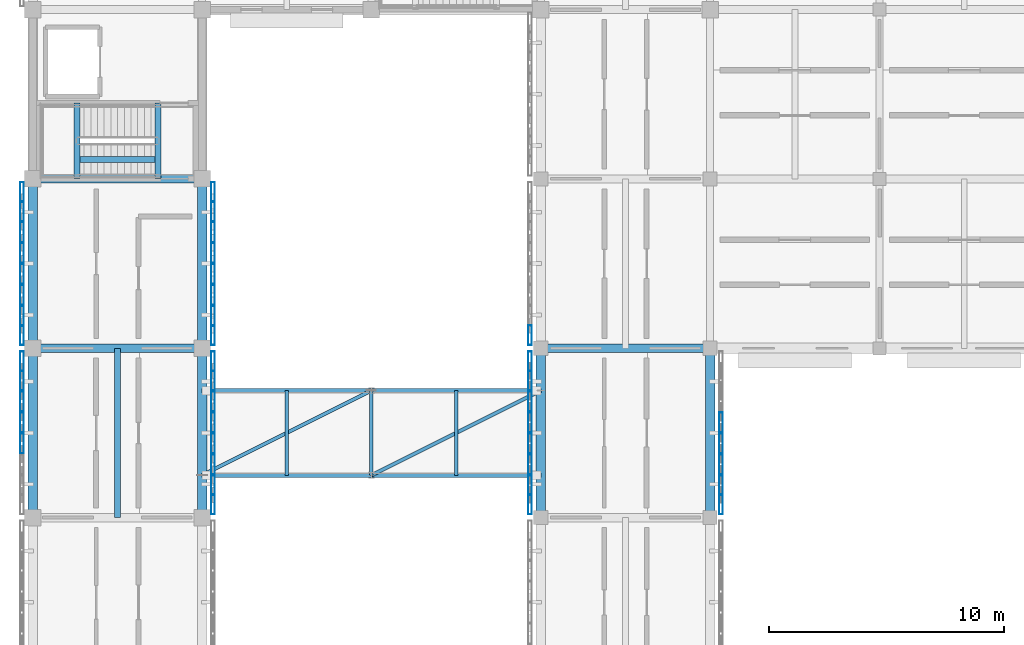
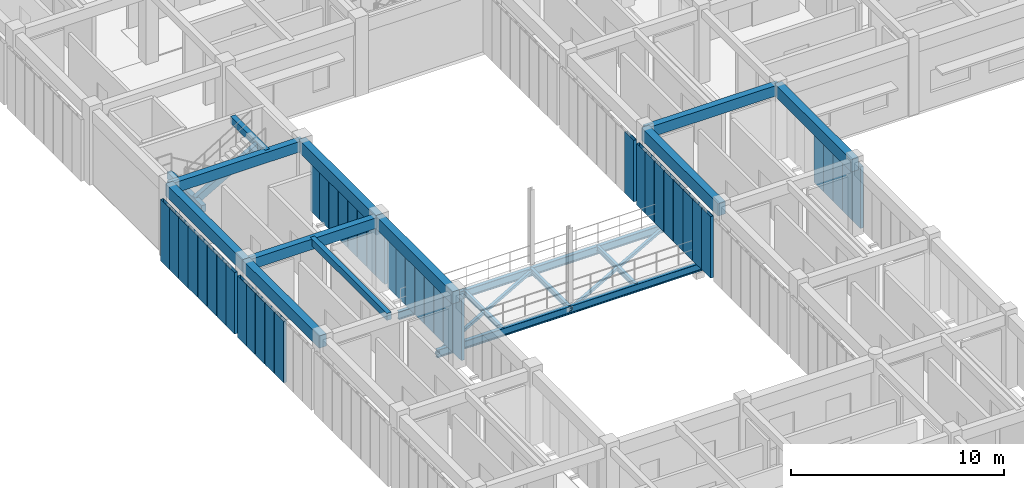
# One storey, part 12 of 171: 45 members, 20 beams, 7 elements without a shape of their own.
"""IFC4 building model written with IfcOpenShell, lengths in metres."""

from ifc_helpers import new_model, si_unit, direction, frame, origin, origin_2d, place, context, subcontext, project, spatial, rectangle, hollow_rectangle, i_section, extrude, material, material_profile, profile_set, type_object, element, aggregate, save


model = new_model("IFC4")

# Units and contexts
model_context = context("Model", 3, precision=1e-05, world=origin(), true_north=direction((0.0, 1.0)))
body_context = subcontext(model_context, "Body", "Model", "MODEL_VIEW")
ifc_project = project(units=[si_unit("LENGTHUNIT", "METRE"), si_unit("AREAUNIT", "SQUARE_METRE"), si_unit("VOLUMEUNIT", "CUBIC_METRE"), si_unit("PLANEANGLEUNIT", "RADIAN"), si_unit("MASSUNIT", "GRAM", prefix="KILO")], contexts=[model_context])

# Site, building, storey
site_placement = place(None, origin())
site = spatial("IfcSite", under=ifc_project, at=site_placement, CompositionType="ELEMENT")
building_placement = place(site_placement, origin())
building = spatial("IfcBuilding", under=site, at=building_placement, Name="Aldebral Square Health Centre", CompositionType="ELEMENT")
storey_placement = place(building_placement, frame((0.0, 0.0, 4.5)))
storey = spatial("IfcBuildingStorey", under=building, at=storey_placement, Name="L01", CompositionType="ELEMENT", Elevation=4.5)

# Beams
ifc_material_1 = material(Name="Concrete C40/50", Category="concrete")
ifc_material_profile_1 = material_profile(ifc_material_1, rectangle(XDim=0.35009765625, YDim=0.60009765625, at=origin_2d()), Name="RC 350x600")
ifc_profile_set_1 = profile_set([ifc_material_profile_1], Name="Concrete C40/50")
beam_type_1 = type_object("IfcBeamType", Name="BM-B2", PredefinedType="BEAM", material=ifc_profile_set_1)
for number, where, z_axis, x_axis, name in (
    (1, (0.0, 86.39990234375, 3.919921875), (1.0, 0.0, 0.0), (0.0, 1.0, 0.0), "L01 X-beam 1-2/G13"),
    (2, (0.0, 93.60009765625, 3.919921875), (1.0, 0.0, 0.0), (0.0, 1.0, 0.0), "L01 X-beam 1-2/G14"),
    (3, (21.60009765625, 86.39990234375, 3.919921875), (1.0, 0.0, 0.0), (0.0, 1.0, 0.0), "L01 X-beam 4-5/G13"),
):
    element("IfcBeam", number, at=place(storey_placement, frame(where, z_axis=z_axis, x_axis=x_axis)), inside=storey, type_object=beam_type_1, Name=name, PredefinedType="BEAM", context=body_context, shape_type="SweptSolid", body=[
        extrude(rectangle(XDim=0.35009765625, YDim=0.60009765625, at=origin_2d()), origin(), (0.0, 0.0, 1.0), 7.199951171875),
    ])
ifc_material_profile_2 = material_profile(ifc_material_1, rectangle(XDim=0.25, YDim=0.39990234375, at=origin_2d()), Name="RC 250x400")
ifc_profile_set_2 = profile_set([ifc_material_profile_2], Name="Concrete C40/50")
beam_type_2 = type_object("IfcBeamType", Name="BM-B6", PredefinedType="JOIST", material=ifc_profile_set_2)
beam_1_placement = place(storey_placement, frame((3.60009765625, 79.199951171875, 4.02001953125), z_axis=(0.0, 1.0, 0.0), x_axis=(-1.0, 0.0, 0.0)))
element("IfcBeam", 4, at=beam_1_placement, inside=storey, type_object=beam_type_2, Name="L01 secondary rib 1.12", PredefinedType="JOIST", context=body_context, shape_type="SweptSolid", body=[
    extrude(rectangle(XDim=0.25, YDim=0.39990234375, at=origin_2d()), origin(), (0.0, 0.0, 1.0), 7.199951171875),
])
for number, where, z_axis, x_axis, name in (
    (5, (1.8798828125, 93.610107421875, 2.050048828125), (0.0, 1.0, 0.0), (-1.0, 0.0, 0.0), "L01 WC-C1 half-landing beam"),
    (6, (5.320068359375, 93.610107421875, 4.02001953125), (0.0, 1.0, 0.0), (-1.0, 0.0, 0.0), "L01 WC-C1 upper landing beam"),
):
    element("IfcBeam", number, at=place(storey_placement, frame(where, z_axis=z_axis, x_axis=x_axis)), inside=storey, type_object=beam_type_2, Name=name, PredefinedType="JOIST", context=body_context, shape_type="SweptSolid", body=[
        extrude(rectangle(XDim=0.25, YDim=0.39990234375, at=origin_2d()), origin(), (0.0, 0.0, 1.0), 3.219970703125),
    ])
beam_2_placement = place(storey_placement, frame((1.8798828125, 94.419921875, 2.050048828125), z_axis=(0.867791792995, 0.0, 0.496927966622), x_axis=(0.0, 1.0, 0.0)))
element("IfcBeam", 7, at=beam_2_placement, inside=storey, type_object=beam_type_2, Name="L01 WC-C1 flight stringer beam", PredefinedType="JOIST", context=body_context, shape_type="SweptSolid", body=[
    extrude(rectangle(XDim=0.25, YDim=0.39990234375, at=origin_2d()), origin(), (0.0, 0.0, 1.0), 3.96435546875),
])
ifc_material_profile_3 = material_profile(ifc_material_1, rectangle(XDim=0.39990234375, YDim=0.699951171875, at=origin_2d()), Name="RC 400x700")
ifc_profile_set_3 = profile_set([ifc_material_profile_3], Name="Concrete C40/50")
beam_type_3 = type_object("IfcBeamType", Name="BM-G3", PredefinedType="T_BEAM", material=ifc_profile_set_3)
beam_3_placement = place(storey_placement, frame((0.0, 79.199951171875, 3.8701171875), z_axis=(0.0, 1.0, 0.0), x_axis=(-1.0, 0.0, 0.0)))
element("IfcBeam", 8, at=beam_3_placement, inside=storey, type_object=beam_type_3, Name="L01 Y-beam G1/12-13", PredefinedType="T_BEAM", context=body_context, shape_type="SweptSolid", body=[
    extrude(rectangle(XDim=0.39990234375, YDim=0.699951171875, at=origin_2d()), origin(), (0.0, 0.0, 1.0), 7.199951171875),
])
beam_4_placement = place(storey_placement, frame((0.0, 86.39990234375, 3.8701171875), z_axis=(0.0, 1.0, 0.0), x_axis=(-1.0, 0.0, 0.0)))
element("IfcBeam", 9, at=beam_4_placement, inside=storey, type_object=beam_type_3, Name="L01 Y-beam G1/13-14", PredefinedType="T_BEAM", context=body_context, shape_type="SweptSolid", body=[
    extrude(rectangle(XDim=0.39990234375, YDim=0.699951171875, at=origin_2d()), origin(), (0.0, 0.0, 1.0), 7.2001953125),
])
beam_5_placement = place(storey_placement, frame((7.199951171875, 79.199951171875, 3.8701171875), z_axis=(0.0, 1.0, 0.0), x_axis=(-1.0, 0.0, 0.0)))
element("IfcBeam", 10, at=beam_5_placement, inside=storey, type_object=beam_type_3, Name="L01 Y-beam G2/12-13", PredefinedType="T_BEAM", context=body_context, shape_type="SweptSolid", body=[
    extrude(rectangle(XDim=0.39990234375, YDim=0.699951171875, at=origin_2d()), origin(), (0.0, 0.0, 1.0), 7.199951171875),
])
beam_6_placement = place(storey_placement, frame((7.199951171875, 86.39990234375, 3.8701171875), z_axis=(0.0, 1.0, 0.0), x_axis=(-1.0, 0.0, 0.0)))
element("IfcBeam", 11, at=beam_6_placement, inside=storey, type_object=beam_type_3, Name="L01 Y-beam G2/13-14", PredefinedType="T_BEAM", context=body_context, shape_type="SweptSolid", body=[
    extrude(rectangle(XDim=0.39990234375, YDim=0.699951171875, at=origin_2d()), origin(), (0.0, 0.0, 1.0), 7.2001953125),
])
for number, where, z_axis, x_axis, name in (
    (12, (21.60009765625, 79.199951171875, 3.8701171875), (0.0, 1.0, 0.0), (-1.0, 0.0, 0.0), "L01 Y-beam G4/12-13"),
    (13, (28.800048828125, 79.199951171875, 3.8701171875), (0.0, 1.0, 0.0), (-1.0, 0.0, 0.0), "L01 Y-beam G5/12-13"),
):
    element("IfcBeam", number, at=place(storey_placement, frame(where, z_axis=z_axis, x_axis=x_axis)), inside=storey, type_object=beam_type_3, Name=name, PredefinedType="T_BEAM", context=body_context, shape_type="SweptSolid", body=[
        extrude(rectangle(XDim=0.39990234375, YDim=0.699951171875, at=origin_2d()), origin(), (0.0, 0.0, 1.0), 7.199951171875),
    ])
ifc_material_2 = material(Name="Steel S355JR", Category="steel")
ifc_material_profile_4 = material_profile(ifc_material_2, i_section(OverallWidth=0.18994140625, OverallDepth=0.449951171875, WebThickness=0.009521484375, FlangeThickness=0.0146484375, FilletRadius=0.02099609375, at=origin_2d()), Name="IPE 450")
ifc_profile_set_4 = profile_set([ifc_material_profile_4], Name="Steel S355JR")
beam_type_4 = type_object("IfcBeamType", Name="BM-ST1", PredefinedType="T_BEAM", material=ifc_profile_set_4)
beam_7_placement = place(storey_placement, frame((7.199951171875, 81.0, -0.445068359375), z_axis=(1.0, 0.0, 0.0), x_axis=(0.0, 1.0, 0.0)))
element("IfcBeam", 14, at=beam_7_placement, inside=storey, type_object=beam_type_4, Name="West Light Court Bridge L01 edge girder 1.1", PredefinedType="T_BEAM", context=body_context, shape_type="SweptSolid", body=[
    extrude(i_section(OverallWidth=0.18994140625, OverallDepth=0.449951171875, WebThickness=0.009521484375, FlangeThickness=0.0146484375, FilletRadius=0.02099609375, at=origin_2d()), origin(), (0.0, 0.0, 1.0), 7.199951171875),
])
beam_8_placement = place(storey_placement, frame((14.39990234375, 81.0, -0.445068359375), z_axis=(1.0, 0.0, 0.0), x_axis=(0.0, 1.0, 0.0)))
element("IfcBeam", 15, at=beam_8_placement, inside=storey, type_object=beam_type_4, Name="West Light Court Bridge L01 edge girder 1.2", PredefinedType="T_BEAM", context=body_context, shape_type="SweptSolid", body=[
    extrude(i_section(OverallWidth=0.18994140625, OverallDepth=0.449951171875, WebThickness=0.009521484375, FlangeThickness=0.0146484375, FilletRadius=0.02099609375, at=origin_2d()), origin(), (0.0, 0.0, 1.0), 7.2001953125),
])
beam_9_placement = place(storey_placement, frame((7.199951171875, 84.60009765625, -0.445068359375), z_axis=(1.0, 0.0, 0.0), x_axis=(0.0, 1.0, 0.0)))
element("IfcBeam", 16, at=beam_9_placement, inside=storey, type_object=beam_type_4, Name="West Light Court Bridge L01 edge girder 2.1", PredefinedType="T_BEAM", context=body_context, shape_type="SweptSolid", body=[
    extrude(i_section(OverallWidth=0.18994140625, OverallDepth=0.449951171875, WebThickness=0.009521484375, FlangeThickness=0.0146484375, FilletRadius=0.02099609375, at=origin_2d()), origin(), (0.0, 0.0, 1.0), 7.199951171875),
])
beam_10_placement = place(storey_placement, frame((14.39990234375, 84.60009765625, -0.445068359375), z_axis=(1.0, 0.0, 0.0), x_axis=(0.0, 1.0, 0.0)))
element("IfcBeam", 17, at=beam_10_placement, inside=storey, type_object=beam_type_4, Name="West Light Court Bridge L01 edge girder 2.2", PredefinedType="T_BEAM", context=body_context, shape_type="SweptSolid", body=[
    extrude(i_section(OverallWidth=0.18994140625, OverallDepth=0.449951171875, WebThickness=0.009521484375, FlangeThickness=0.0146484375, FilletRadius=0.02099609375, at=origin_2d()), origin(), (0.0, 0.0, 1.0), 7.2001953125),
])
ifc_material_profile_5 = material_profile(ifc_material_2, i_section(OverallWidth=0.14990234375, OverallDepth=0.300048828125, WebThickness=0.007080078125, FlangeThickness=0.0107421875, FilletRadius=0.014892578125, at=origin_2d()), Name="IPE 300")
ifc_profile_set_5 = profile_set([ifc_material_profile_5], Name="Steel S355JR")
beam_type_5 = type_object("IfcBeamType", Name="BM-ST4", PredefinedType="BEAM", material=ifc_profile_set_5)
for number, where, z_axis, x_axis, name in (
    (18, (10.800048828125, 81.0, -0.3701171875), (0.0, 1.0, 0.0), (-1.0, 0.0, 0.0), "West Light Court Bridge L01 cross beam 2"),
    (19, (14.39990234375, 81.0, -0.3701171875), (0.0, 1.0, 0.0), (-1.0, 0.0, 0.0), "West Light Court Bridge L01 cross beam 3"),
    (20, (18.0, 81.0, -0.3701171875), (0.0, 1.0, 0.0), (-1.0, 0.0, 0.0), "West Light Court Bridge L01 cross beam 4"),
):
    element("IfcBeam", number, at=place(storey_placement, frame(where, z_axis=z_axis, x_axis=x_axis)), inside=storey, type_object=beam_type_5, Name=name, PredefinedType="BEAM", context=body_context, shape_type="SweptSolid", body=[
        extrude(i_section(OverallWidth=0.14990234375, OverallDepth=0.300048828125, WebThickness=0.007080078125, FlangeThickness=0.0107421875, FilletRadius=0.014892578125, at=origin_2d()), origin(), (0.0, 0.0, 1.0), 3.60009765625),
    ])

# Curtain wall, members
ifc_material_3 = material(Name="Aluminium and low-E solar glass", Category="aluminium")
curtain_wall_type = type_object("IfcCurtainWallType", Name="CW-FIN-SYS", PredefinedType="USERDEFINED", material=ifc_material_3)
curtain_wall_1_placement = place(storey_placement, origin())
curtain_wall_1 = element("IfcCurtainWall", 21, at=curtain_wall_1_placement, inside=storey, type_object=curtain_wall_type, Name="L01 V4 finned curtain wall L01-V4-00-11-W", ObjectType="SOLAR_CURTAIN_WALL", PredefinedType="USERDEFINED")
ifc_material_4 = material(Name="Sienna-terracotta clad aluminium fin", Category="masonry")
ifc_material_profile_6 = material_profile(ifc_material_4, hollow_rectangle(XDim=0.159912109375, YDim=0.85009765625, WallThickness=0.006103515625, at=origin_2d()), Name="FIN 160x850x6")
ifc_profile_set_6 = profile_set([ifc_material_profile_6], Name="Sienna-terracotta clad aluminium fin")
member_type_1 = type_object("IfcMemberType", Name="CWM-FIN", PredefinedType="MULLION", material=ifc_profile_set_6)
member_1_placement = place(storey_placement, frame((-0.4599609375, 85.840087890625, 0.0), z_axis=(0.0, 0.0, 1.0), x_axis=(1.0, 0.0, 0.0)))
member_1 = element("IfcMember", 22, at=member_1_placement, type_object=member_type_1, Name="CW1 mullion 1", PredefinedType="MULLION", context=body_context, shape_type="SweptSolid", body=[
    extrude(hollow_rectangle(XDim=0.159912109375, YDim=0.85009765625, WallThickness=0.006103515625, at=origin_2d()), origin(), (0.0, 0.0, 1.0), 3.52001953125),
])
member_2_placement = place(storey_placement, frame((-0.4599609375, 85.028564453125, 0.0), z_axis=(0.0, 0.0, 1.0), x_axis=(1.0, 0.0, 0.0)))
member_2 = element("IfcMember", 23, at=member_2_placement, type_object=member_type_1, Name="CW1 mullion 2", PredefinedType="MULLION", context=body_context, shape_type="SweptSolid", body=[
    extrude(hollow_rectangle(XDim=0.159912109375, YDim=0.85009765625, WallThickness=0.006103515625, at=origin_2d()), origin(), (0.0, 0.0, 1.0), 3.52001953125),
])
member_3_placement = place(storey_placement, frame((-0.4599609375, 84.13720703125, 0.0), z_axis=(0.0, 0.0, 1.0), x_axis=(1.0, 0.0, 0.0)))
member_3 = element("IfcMember", 24, at=member_3_placement, type_object=member_type_1, Name="CW1 mullion 3", PredefinedType="MULLION", context=body_context, shape_type="SweptSolid", body=[
    extrude(hollow_rectangle(XDim=0.159912109375, YDim=0.85009765625, WallThickness=0.006103515625, at=origin_2d()), origin(), (0.0, 0.0, 1.0), 3.52001953125),
])
member_4_placement = place(storey_placement, frame((-0.4599609375, 83.24560546875, 0.0), z_axis=(0.0, 0.0, 1.0), x_axis=(1.0, 0.0, 0.0)))
member_4 = element("IfcMember", 25, at=member_4_placement, type_object=member_type_1, Name="CW1 mullion 4", PredefinedType="MULLION", context=body_context, shape_type="SweptSolid", body=[
    extrude(hollow_rectangle(XDim=0.159912109375, YDim=0.85009765625, WallThickness=0.006103515625, at=origin_2d()), origin(), (0.0, 0.0, 1.0), 3.52001953125),
])
member_5_placement = place(storey_placement, frame((-0.4599609375, 82.354248046875, 0.0), z_axis=(0.0, 0.0, 1.0), x_axis=(1.0, 0.0, 0.0)))
member_5 = element("IfcMember", 26, at=member_5_placement, type_object=member_type_1, Name="CW1 mullion 5", PredefinedType="MULLION", context=body_context, shape_type="SweptSolid", body=[
    extrude(hollow_rectangle(XDim=0.159912109375, YDim=0.85009765625, WallThickness=0.006103515625, at=origin_2d()), origin(), (0.0, 0.0, 1.0), 3.52001953125),
])
aggregate(curtain_wall_1, [member_1, member_2, member_3, member_4, member_5])

curtain_wall_2_placement = place(storey_placement, origin())
curtain_wall_2 = element("IfcCurtainWall", 27, at=curtain_wall_2_placement, inside=storey, type_object=curtain_wall_type, Name="L01 V4 finned curtain wall L01-V4-00-11-E", ObjectType="SOLAR_CURTAIN_WALL", PredefinedType="USERDEFINED")
member_6_placement = place(storey_placement, frame((7.659912109375, 79.760009765625, 0.0), z_axis=(0.0, 0.0, 1.0), x_axis=(-1.0, 0.0, 0.0)))
member_6 = element("IfcMember", 28, at=member_6_placement, type_object=member_type_1, Name="CW1 mullion 1", PredefinedType="MULLION", context=body_context, shape_type="SweptSolid", body=[
    extrude(hollow_rectangle(XDim=0.159912109375, YDim=0.85009765625, WallThickness=0.006103515625, at=origin_2d()), origin(), (0.0, 0.0, 1.0), 3.52001953125),
])
member_7_placement = place(storey_placement, frame((7.659912109375, 80.571533203125, 0.0), z_axis=(0.0, 0.0, 1.0), x_axis=(-1.0, 0.0, 0.0)))
member_7 = element("IfcMember", 29, at=member_7_placement, type_object=member_type_1, Name="CW1 mullion 2", PredefinedType="MULLION", context=body_context, shape_type="SweptSolid", body=[
    extrude(hollow_rectangle(XDim=0.159912109375, YDim=0.85009765625, WallThickness=0.006103515625, at=origin_2d()), origin(), (0.0, 0.0, 1.0), 3.52001953125),
])
member_8_placement = place(storey_placement, frame((7.659912109375, 81.462890625, 0.0), z_axis=(0.0, 0.0, 1.0), x_axis=(-1.0, 0.0, 0.0)))
member_8 = element("IfcMember", 30, at=member_8_placement, type_object=member_type_1, Name="CW1 mullion 3", PredefinedType="MULLION", context=body_context, shape_type="SweptSolid", body=[
    extrude(hollow_rectangle(XDim=0.159912109375, YDim=0.85009765625, WallThickness=0.006103515625, at=origin_2d()), origin(), (0.0, 0.0, 1.0), 3.52001953125),
])
member_9_placement = place(storey_placement, frame((7.659912109375, 82.354248046875, 0.0), z_axis=(0.0, 0.0, 1.0), x_axis=(-1.0, 0.0, 0.0)))
member_9 = element("IfcMember", 31, at=member_9_placement, type_object=member_type_1, Name="CW1 mullion 4", PredefinedType="MULLION", context=body_context, shape_type="SweptSolid", body=[
    extrude(hollow_rectangle(XDim=0.159912109375, YDim=0.85009765625, WallThickness=0.006103515625, at=origin_2d()), origin(), (0.0, 0.0, 1.0), 3.52001953125),
])
member_10_placement = place(storey_placement, frame((7.659912109375, 83.24560546875, 0.0), z_axis=(0.0, 0.0, 1.0), x_axis=(-1.0, 0.0, 0.0)))
member_10 = element("IfcMember", 32, at=member_10_placement, type_object=member_type_1, Name="CW1 mullion 5", PredefinedType="MULLION", context=body_context, shape_type="SweptSolid", body=[
    extrude(hollow_rectangle(XDim=0.159912109375, YDim=0.85009765625, WallThickness=0.006103515625, at=origin_2d()), origin(), (0.0, 0.0, 1.0), 3.52001953125),
])
member_11_placement = place(storey_placement, frame((7.659912109375, 84.13720703125, 0.0), z_axis=(0.0, 0.0, 1.0), x_axis=(-1.0, 0.0, 0.0)))
member_11 = element("IfcMember", 33, at=member_11_placement, type_object=member_type_1, Name="CW1 mullion 6", PredefinedType="MULLION", context=body_context, shape_type="SweptSolid", body=[
    extrude(hollow_rectangle(XDim=0.159912109375, YDim=0.85009765625, WallThickness=0.006103515625, at=origin_2d()), origin(), (0.0, 0.0, 1.0), 3.52001953125),
])
member_12_placement = place(storey_placement, frame((7.659912109375, 85.028564453125, 0.0), z_axis=(0.0, 0.0, 1.0), x_axis=(-1.0, 0.0, 0.0)))
member_12 = element("IfcMember", 34, at=member_12_placement, type_object=member_type_1, Name="CW1 mullion 7", PredefinedType="MULLION", context=body_context, shape_type="SweptSolid", body=[
    extrude(hollow_rectangle(XDim=0.159912109375, YDim=0.85009765625, WallThickness=0.006103515625, at=origin_2d()), origin(), (0.0, 0.0, 1.0), 3.52001953125),
])
member_13_placement = place(storey_placement, frame((7.659912109375, 85.840087890625, 0.0), z_axis=(0.0, 0.0, 1.0), x_axis=(-1.0, 0.0, 0.0)))
member_13 = element("IfcMember", 35, at=member_13_placement, type_object=member_type_1, Name="CW1 mullion 8", PredefinedType="MULLION", context=body_context, shape_type="SweptSolid", body=[
    extrude(hollow_rectangle(XDim=0.159912109375, YDim=0.85009765625, WallThickness=0.006103515625, at=origin_2d()), origin(), (0.0, 0.0, 1.0), 3.52001953125),
])
aggregate(curtain_wall_2, [member_6, member_7, member_8, member_9, member_10, member_11, member_12, member_13])

curtain_wall_3_placement = place(storey_placement, origin())
curtain_wall_3 = element("IfcCurtainWall", 36, at=curtain_wall_3_placement, inside=storey, type_object=curtain_wall_type, Name="L01 V4 finned curtain wall L01-V4-00-12-W", ObjectType="SOLAR_CURTAIN_WALL", PredefinedType="USERDEFINED")
member_14_placement = place(storey_placement, frame((-0.4599609375, 93.0400390625, 0.0), z_axis=(0.0, 0.0, 1.0), x_axis=(1.0, 0.0, 0.0)))
member_14 = element("IfcMember", 37, at=member_14_placement, type_object=member_type_1, Name="CW1 mullion 1", PredefinedType="MULLION", context=body_context, shape_type="SweptSolid", body=[
    extrude(hollow_rectangle(XDim=0.159912109375, YDim=0.85009765625, WallThickness=0.006103515625, at=origin_2d()), origin(), (0.0, 0.0, 1.0), 3.52001953125),
])
member_15_placement = place(storey_placement, frame((-0.4599609375, 92.228515625, 0.0), z_axis=(0.0, 0.0, 1.0), x_axis=(1.0, 0.0, 0.0)))
member_15 = element("IfcMember", 38, at=member_15_placement, type_object=member_type_1, Name="CW1 mullion 2", PredefinedType="MULLION", context=body_context, shape_type="SweptSolid", body=[
    extrude(hollow_rectangle(XDim=0.159912109375, YDim=0.85009765625, WallThickness=0.006103515625, at=origin_2d()), origin(), (0.0, 0.0, 1.0), 3.52001953125),
])
member_16_placement = place(storey_placement, frame((-0.4599609375, 91.337158203125, 0.0), z_axis=(0.0, 0.0, 1.0), x_axis=(1.0, 0.0, 0.0)))
member_16 = element("IfcMember", 39, at=member_16_placement, type_object=member_type_1, Name="CW1 mullion 3", PredefinedType="MULLION", context=body_context, shape_type="SweptSolid", body=[
    extrude(hollow_rectangle(XDim=0.159912109375, YDim=0.85009765625, WallThickness=0.006103515625, at=origin_2d()), origin(), (0.0, 0.0, 1.0), 3.52001953125),
])
member_17_placement = place(storey_placement, frame((-0.4599609375, 90.44580078125, 0.0), z_axis=(0.0, 0.0, 1.0), x_axis=(1.0, 0.0, 0.0)))
member_17 = element("IfcMember", 40, at=member_17_placement, type_object=member_type_1, Name="CW1 mullion 4", PredefinedType="MULLION", context=body_context, shape_type="SweptSolid", body=[
    extrude(hollow_rectangle(XDim=0.159912109375, YDim=0.85009765625, WallThickness=0.006103515625, at=origin_2d()), origin(), (0.0, 0.0, 1.0), 3.52001953125),
])
member_18_placement = place(storey_placement, frame((-0.4599609375, 89.55419921875, 0.0), z_axis=(0.0, 0.0, 1.0), x_axis=(1.0, 0.0, 0.0)))
member_18 = element("IfcMember", 41, at=member_18_placement, type_object=member_type_1, Name="CW1 mullion 5", PredefinedType="MULLION", context=body_context, shape_type="SweptSolid", body=[
    extrude(hollow_rectangle(XDim=0.159912109375, YDim=0.85009765625, WallThickness=0.006103515625, at=origin_2d()), origin(), (0.0, 0.0, 1.0), 3.52001953125),
])
member_19_placement = place(storey_placement, frame((-0.4599609375, 88.662841796875, 0.0), z_axis=(0.0, 0.0, 1.0), x_axis=(1.0, 0.0, 0.0)))
member_19 = element("IfcMember", 42, at=member_19_placement, type_object=member_type_1, Name="CW1 mullion 6", PredefinedType="MULLION", context=body_context, shape_type="SweptSolid", body=[
    extrude(hollow_rectangle(XDim=0.159912109375, YDim=0.85009765625, WallThickness=0.006103515625, at=origin_2d()), origin(), (0.0, 0.0, 1.0), 3.52001953125),
])
member_20_placement = place(storey_placement, frame((-0.4599609375, 87.771484375, 0.0), z_axis=(0.0, 0.0, 1.0), x_axis=(1.0, 0.0, 0.0)))
member_20 = element("IfcMember", 43, at=member_20_placement, type_object=member_type_1, Name="CW1 mullion 7", PredefinedType="MULLION", context=body_context, shape_type="SweptSolid", body=[
    extrude(hollow_rectangle(XDim=0.159912109375, YDim=0.85009765625, WallThickness=0.006103515625, at=origin_2d()), origin(), (0.0, 0.0, 1.0), 3.52001953125),
])
member_21_placement = place(storey_placement, frame((-0.4599609375, 86.9599609375, 0.0), z_axis=(0.0, 0.0, 1.0), x_axis=(1.0, 0.0, 0.0)))
member_21 = element("IfcMember", 44, at=member_21_placement, type_object=member_type_1, Name="CW1 mullion 8", PredefinedType="MULLION", context=body_context, shape_type="SweptSolid", body=[
    extrude(hollow_rectangle(XDim=0.159912109375, YDim=0.85009765625, WallThickness=0.006103515625, at=origin_2d()), origin(), (0.0, 0.0, 1.0), 3.52001953125),
])
aggregate(curtain_wall_3, [member_14, member_15, member_16, member_17, member_18, member_19, member_20, member_21])

curtain_wall_4_placement = place(storey_placement, origin())
curtain_wall_4 = element("IfcCurtainWall", 45, at=curtain_wall_4_placement, inside=storey, type_object=curtain_wall_type, Name="L01 V4 finned curtain wall L01-V4-00-12-E", ObjectType="SOLAR_CURTAIN_WALL", PredefinedType="USERDEFINED")
member_22_placement = place(storey_placement, frame((7.659912109375, 86.9599609375, 0.0), z_axis=(0.0, 0.0, 1.0), x_axis=(-1.0, 0.0, 0.0)))
member_22 = element("IfcMember", 46, at=member_22_placement, type_object=member_type_1, Name="CW1 mullion 1", PredefinedType="MULLION", context=body_context, shape_type="SweptSolid", body=[
    extrude(hollow_rectangle(XDim=0.159912109375, YDim=0.85009765625, WallThickness=0.006103515625, at=origin_2d()), origin(), (0.0, 0.0, 1.0), 3.52001953125),
])
member_23_placement = place(storey_placement, frame((7.659912109375, 87.771484375, 0.0), z_axis=(0.0, 0.0, 1.0), x_axis=(-1.0, 0.0, 0.0)))
member_23 = element("IfcMember", 47, at=member_23_placement, type_object=member_type_1, Name="CW1 mullion 2", PredefinedType="MULLION", context=body_context, shape_type="SweptSolid", body=[
    extrude(hollow_rectangle(XDim=0.159912109375, YDim=0.85009765625, WallThickness=0.006103515625, at=origin_2d()), origin(), (0.0, 0.0, 1.0), 3.52001953125),
])
member_24_placement = place(storey_placement, frame((7.659912109375, 88.662841796875, 0.0), z_axis=(0.0, 0.0, 1.0), x_axis=(-1.0, 0.0, 0.0)))
member_24 = element("IfcMember", 48, at=member_24_placement, type_object=member_type_1, Name="CW1 mullion 3", PredefinedType="MULLION", context=body_context, shape_type="SweptSolid", body=[
    extrude(hollow_rectangle(XDim=0.159912109375, YDim=0.85009765625, WallThickness=0.006103515625, at=origin_2d()), origin(), (0.0, 0.0, 1.0), 3.52001953125),
])
member_25_placement = place(storey_placement, frame((7.659912109375, 89.55419921875, 0.0), z_axis=(0.0, 0.0, 1.0), x_axis=(-1.0, 0.0, 0.0)))
member_25 = element("IfcMember", 49, at=member_25_placement, type_object=member_type_1, Name="CW1 mullion 4", PredefinedType="MULLION", context=body_context, shape_type="SweptSolid", body=[
    extrude(hollow_rectangle(XDim=0.159912109375, YDim=0.85009765625, WallThickness=0.006103515625, at=origin_2d()), origin(), (0.0, 0.0, 1.0), 3.52001953125),
])
member_26_placement = place(storey_placement, frame((7.659912109375, 90.44580078125, 0.0), z_axis=(0.0, 0.0, 1.0), x_axis=(-1.0, 0.0, 0.0)))
member_26 = element("IfcMember", 50, at=member_26_placement, type_object=member_type_1, Name="CW1 mullion 5", PredefinedType="MULLION", context=body_context, shape_type="SweptSolid", body=[
    extrude(hollow_rectangle(XDim=0.159912109375, YDim=0.85009765625, WallThickness=0.006103515625, at=origin_2d()), origin(), (0.0, 0.0, 1.0), 3.52001953125),
])
member_27_placement = place(storey_placement, frame((7.659912109375, 91.337158203125, 0.0), z_axis=(0.0, 0.0, 1.0), x_axis=(-1.0, 0.0, 0.0)))
member_27 = element("IfcMember", 51, at=member_27_placement, type_object=member_type_1, Name="CW1 mullion 6", PredefinedType="MULLION", context=body_context, shape_type="SweptSolid", body=[
    extrude(hollow_rectangle(XDim=0.159912109375, YDim=0.85009765625, WallThickness=0.006103515625, at=origin_2d()), origin(), (0.0, 0.0, 1.0), 3.52001953125),
])
member_28_placement = place(storey_placement, frame((7.659912109375, 92.228515625, 0.0), z_axis=(0.0, 0.0, 1.0), x_axis=(-1.0, 0.0, 0.0)))
member_28 = element("IfcMember", 52, at=member_28_placement, type_object=member_type_1, Name="CW1 mullion 7", PredefinedType="MULLION", context=body_context, shape_type="SweptSolid", body=[
    extrude(hollow_rectangle(XDim=0.159912109375, YDim=0.85009765625, WallThickness=0.006103515625, at=origin_2d()), origin(), (0.0, 0.0, 1.0), 3.52001953125),
])
member_29_placement = place(storey_placement, frame((7.659912109375, 93.0400390625, 0.0), z_axis=(0.0, 0.0, 1.0), x_axis=(-1.0, 0.0, 0.0)))
member_29 = element("IfcMember", 53, at=member_29_placement, type_object=member_type_1, Name="CW1 mullion 8", PredefinedType="MULLION", context=body_context, shape_type="SweptSolid", body=[
    extrude(hollow_rectangle(XDim=0.159912109375, YDim=0.85009765625, WallThickness=0.006103515625, at=origin_2d()), origin(), (0.0, 0.0, 1.0), 3.52001953125),
])
aggregate(curtain_wall_4, [member_22, member_23, member_24, member_25, member_26, member_27, member_28, member_29])

curtain_wall_5_placement = place(storey_placement, origin())
curtain_wall_5 = element("IfcCurtainWall", 54, at=curtain_wall_5_placement, inside=storey, type_object=curtain_wall_type, Name="L01 V4 finned curtain wall L01-V4-03-11-W", ObjectType="SOLAR_CURTAIN_WALL", PredefinedType="USERDEFINED")
member_30_placement = place(storey_placement, frame((21.139892578125, 85.840087890625, 0.0), z_axis=(0.0, 0.0, 1.0), x_axis=(1.0, 0.0, 0.0)))
member_30 = element("IfcMember", 55, at=member_30_placement, type_object=member_type_1, Name="CW1 mullion 1", PredefinedType="MULLION", context=body_context, shape_type="SweptSolid", body=[
    extrude(hollow_rectangle(XDim=0.159912109375, YDim=0.85009765625, WallThickness=0.006103515625, at=origin_2d()), origin(), (0.0, 0.0, 1.0), 3.52001953125),
])
member_31_placement = place(storey_placement, frame((21.139892578125, 85.028564453125, 0.0), z_axis=(0.0, 0.0, 1.0), x_axis=(1.0, 0.0, 0.0)))
member_31 = element("IfcMember", 56, at=member_31_placement, type_object=member_type_1, Name="CW1 mullion 2", PredefinedType="MULLION", context=body_context, shape_type="SweptSolid", body=[
    extrude(hollow_rectangle(XDim=0.159912109375, YDim=0.85009765625, WallThickness=0.006103515625, at=origin_2d()), origin(), (0.0, 0.0, 1.0), 3.52001953125),
])
member_32_placement = place(storey_placement, frame((21.139892578125, 84.13720703125, 0.0), z_axis=(0.0, 0.0, 1.0), x_axis=(1.0, 0.0, 0.0)))
member_32 = element("IfcMember", 57, at=member_32_placement, type_object=member_type_1, Name="CW1 mullion 3", PredefinedType="MULLION", context=body_context, shape_type="SweptSolid", body=[
    extrude(hollow_rectangle(XDim=0.159912109375, YDim=0.85009765625, WallThickness=0.006103515625, at=origin_2d()), origin(), (0.0, 0.0, 1.0), 3.52001953125),
])
member_33_placement = place(storey_placement, frame((21.139892578125, 83.24560546875, 0.0), z_axis=(0.0, 0.0, 1.0), x_axis=(1.0, 0.0, 0.0)))
member_33 = element("IfcMember", 58, at=member_33_placement, type_object=member_type_1, Name="CW1 mullion 4", PredefinedType="MULLION", context=body_context, shape_type="SweptSolid", body=[
    extrude(hollow_rectangle(XDim=0.159912109375, YDim=0.85009765625, WallThickness=0.006103515625, at=origin_2d()), origin(), (0.0, 0.0, 1.0), 3.52001953125),
])
member_34_placement = place(storey_placement, frame((21.139892578125, 82.354248046875, 0.0), z_axis=(0.0, 0.0, 1.0), x_axis=(1.0, 0.0, 0.0)))
member_34 = element("IfcMember", 59, at=member_34_placement, type_object=member_type_1, Name="CW1 mullion 5", PredefinedType="MULLION", context=body_context, shape_type="SweptSolid", body=[
    extrude(hollow_rectangle(XDim=0.159912109375, YDim=0.85009765625, WallThickness=0.006103515625, at=origin_2d()), origin(), (0.0, 0.0, 1.0), 3.52001953125),
])
member_35_placement = place(storey_placement, frame((21.139892578125, 81.462890625, 0.0), z_axis=(0.0, 0.0, 1.0), x_axis=(1.0, 0.0, 0.0)))
member_35 = element("IfcMember", 60, at=member_35_placement, type_object=member_type_1, Name="CW1 mullion 6", PredefinedType="MULLION", context=body_context, shape_type="SweptSolid", body=[
    extrude(hollow_rectangle(XDim=0.159912109375, YDim=0.85009765625, WallThickness=0.006103515625, at=origin_2d()), origin(), (0.0, 0.0, 1.0), 3.52001953125),
])
member_36_placement = place(storey_placement, frame((21.139892578125, 80.571533203125, 0.0), z_axis=(0.0, 0.0, 1.0), x_axis=(1.0, 0.0, 0.0)))
member_36 = element("IfcMember", 61, at=member_36_placement, type_object=member_type_1, Name="CW1 mullion 7", PredefinedType="MULLION", context=body_context, shape_type="SweptSolid", body=[
    extrude(hollow_rectangle(XDim=0.159912109375, YDim=0.85009765625, WallThickness=0.006103515625, at=origin_2d()), origin(), (0.0, 0.0, 1.0), 3.52001953125),
])
member_37_placement = place(storey_placement, frame((21.139892578125, 79.760009765625, 0.0), z_axis=(0.0, 0.0, 1.0), x_axis=(1.0, 0.0, 0.0)))
member_37 = element("IfcMember", 62, at=member_37_placement, type_object=member_type_1, Name="CW1 mullion 8", PredefinedType="MULLION", context=body_context, shape_type="SweptSolid", body=[
    extrude(hollow_rectangle(XDim=0.159912109375, YDim=0.85009765625, WallThickness=0.006103515625, at=origin_2d()), origin(), (0.0, 0.0, 1.0), 3.52001953125),
])
aggregate(curtain_wall_5, [member_30, member_31, member_32, member_33, member_34, member_35, member_36, member_37])

curtain_wall_6_placement = place(storey_placement, origin())
curtain_wall_6 = element("IfcCurtainWall", 63, at=curtain_wall_6_placement, inside=storey, type_object=curtain_wall_type, Name="L01 V4 finned curtain wall L01-V4-03-11-E", ObjectType="SOLAR_CURTAIN_WALL", PredefinedType="USERDEFINED")
member_38_placement = place(storey_placement, frame((29.260009765625, 79.760009765625, 0.0), z_axis=(0.0, 0.0, 1.0), x_axis=(-1.0, 0.0, 0.0)))
member_38 = element("IfcMember", 64, at=member_38_placement, type_object=member_type_1, Name="CW1 mullion 1", PredefinedType="MULLION", context=body_context, shape_type="SweptSolid", body=[
    extrude(hollow_rectangle(XDim=0.159912109375, YDim=0.85009765625, WallThickness=0.006103515625, at=origin_2d()), origin(), (0.0, 0.0, 1.0), 3.52001953125),
])
member_39_placement = place(storey_placement, frame((29.260009765625, 80.571533203125, 0.0), z_axis=(0.0, 0.0, 1.0), x_axis=(-1.0, 0.0, 0.0)))
member_39 = element("IfcMember", 65, at=member_39_placement, type_object=member_type_1, Name="CW1 mullion 2", PredefinedType="MULLION", context=body_context, shape_type="SweptSolid", body=[
    extrude(hollow_rectangle(XDim=0.159912109375, YDim=0.85009765625, WallThickness=0.006103515625, at=origin_2d()), origin(), (0.0, 0.0, 1.0), 3.52001953125),
])
member_40_placement = place(storey_placement, frame((29.260009765625, 81.462890625, 0.0), z_axis=(0.0, 0.0, 1.0), x_axis=(-1.0, 0.0, 0.0)))
member_40 = element("IfcMember", 66, at=member_40_placement, type_object=member_type_1, Name="CW1 mullion 3", PredefinedType="MULLION", context=body_context, shape_type="SweptSolid", body=[
    extrude(hollow_rectangle(XDim=0.159912109375, YDim=0.85009765625, WallThickness=0.006103515625, at=origin_2d()), origin(), (0.0, 0.0, 1.0), 3.52001953125),
])
member_41_placement = place(storey_placement, frame((29.260009765625, 82.354248046875, 0.0), z_axis=(0.0, 0.0, 1.0), x_axis=(-1.0, 0.0, 0.0)))
member_41 = element("IfcMember", 67, at=member_41_placement, type_object=member_type_1, Name="CW1 mullion 4", PredefinedType="MULLION", context=body_context, shape_type="SweptSolid", body=[
    extrude(hollow_rectangle(XDim=0.159912109375, YDim=0.85009765625, WallThickness=0.006103515625, at=origin_2d()), origin(), (0.0, 0.0, 1.0), 3.52001953125),
])
member_42_placement = place(storey_placement, frame((29.260009765625, 83.24560546875, 0.0), z_axis=(0.0, 0.0, 1.0), x_axis=(-1.0, 0.0, 0.0)))
member_42 = element("IfcMember", 68, at=member_42_placement, type_object=member_type_1, Name="CW1 mullion 5", PredefinedType="MULLION", context=body_context, shape_type="SweptSolid", body=[
    extrude(hollow_rectangle(XDim=0.159912109375, YDim=0.85009765625, WallThickness=0.006103515625, at=origin_2d()), origin(), (0.0, 0.0, 1.0), 3.52001953125),
])
aggregate(curtain_wall_6, [member_38, member_39, member_40, member_41, member_42])

# Curtain wall, member
curtain_wall_7_placement = place(storey_placement, origin())
curtain_wall_7 = element("IfcCurtainWall", 69, at=curtain_wall_7_placement, inside=storey, type_object=curtain_wall_type, Name="L01 V4 finned curtain wall L01-V4-03-12-W", ObjectType="SOLAR_CURTAIN_WALL", PredefinedType="USERDEFINED")
member_43_placement = place(storey_placement, frame((21.139892578125, 86.9599609375, 0.0), z_axis=(0.0, 0.0, 1.0), x_axis=(1.0, 0.0, 0.0)))
member_43 = element("IfcMember", 70, at=member_43_placement, type_object=member_type_1, Name="CW1 mullion 8", PredefinedType="MULLION", context=body_context, shape_type="SweptSolid", body=[
    extrude(hollow_rectangle(XDim=0.159912109375, YDim=0.85009765625, WallThickness=0.006103515625, at=origin_2d()), origin(), (0.0, 0.0, 1.0), 3.52001953125),
])
aggregate(curtain_wall_7, [member_43])

# Members
ifc_material_profile_7 = material_profile(ifc_material_2, hollow_rectangle(XDim=0.14990234375, YDim=0.14990234375, WallThickness=0.008056640625, at=origin_2d()), Name="150x150x8 SHS")
ifc_profile_set_7 = profile_set([ifc_material_profile_7], Name="Steel S355JR")
member_type_2 = type_object("IfcMemberType", Name="MEM-BR2", PredefinedType="BRACE", material=ifc_profile_set_7)
member_44_placement = place(storey_placement, frame((7.199951171875, 81.0, -0.445068359375), z_axis=(0.894421125195, 0.447225726904, 0.0), x_axis=(-0.447225726904, 0.894421125195, 0.0)))
element("IfcMember", 71, at=member_44_placement, inside=storey, type_object=member_type_2, Name="West Light Court Bridge L01 plan brace 1", PredefinedType="BRACE", context=body_context, shape_type="SweptSolid", body=[
    extrude(hollow_rectangle(XDim=0.14990234375, YDim=0.14990234375, WallThickness=0.008056640625, at=origin_2d()), origin(), (0.0, 0.0, 1.0), 8.0498046875),
])
member_45_placement = place(storey_placement, frame((14.39990234375, 81.0, -0.445068359375), z_axis=(0.894427191, 0.4472135955, 0.0), x_axis=(-0.4472135955, 0.894427191, 0.0)))
element("IfcMember", 72, at=member_45_placement, inside=storey, type_object=member_type_2, Name="West Light Court Bridge L01 plan brace 2", PredefinedType="BRACE", context=body_context, shape_type="SweptSolid", body=[
    extrude(hollow_rectangle(XDim=0.14990234375, YDim=0.14990234375, WallThickness=0.008056640625, at=origin_2d()), origin(), (0.0, 0.0, 1.0), 8.050048828125),
])

save(model, "model.ifc")
